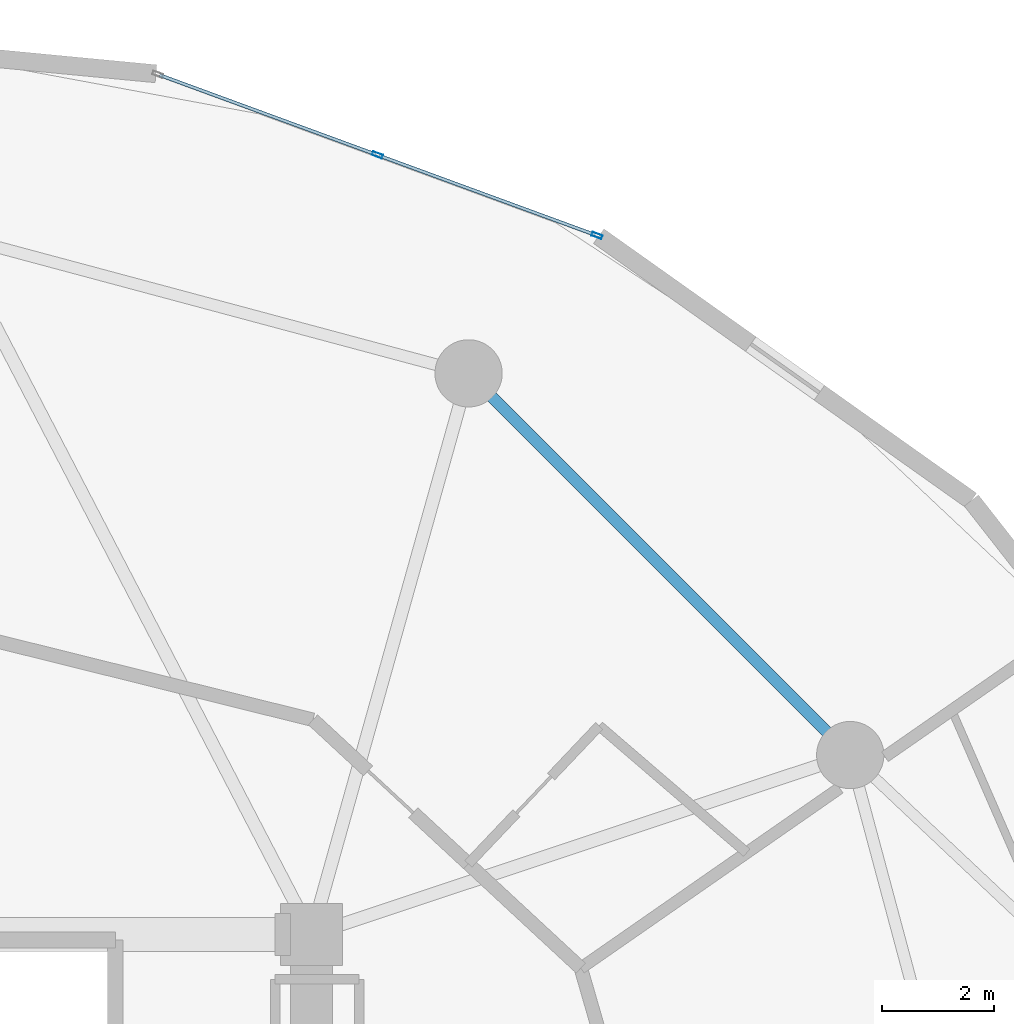
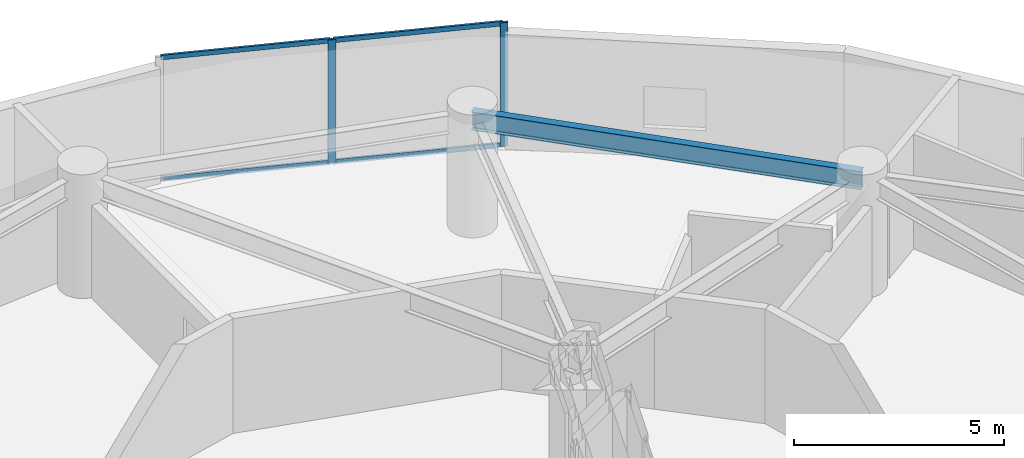
# One storey, part 15 of 22: 6 members, 1 beam, 1 element without a shape of its own.
"""IFC4 building model written with IfcOpenShell, lengths in metres."""

import ifcopenshell
import ifcopenshell.guid

model = None  # the IFC model being written
_history = None  # IfcOwnerHistory: only IFC2X3 demands one
_inside = {}  # id of a spatial element -> (the spatial element, [elements in it])
_under = {}  # id of a project, library or spatial element -> (it, [spatial elements below it])
_declared = {}  # id of a project -> (the project, [libraries it declares])
_typed = {}  # id of a type object -> (the type object, [elements of that type])
_made_of = {}  # id of a material, layer set ... -> (it, [elements and type objects made of it])


def new_model(schema):
    """Start an empty IFC model of exactly this schema.

    Asked for "IFC4X3", IfcOpenShell would pick the latest addendum, in which some entities
    have other attributes; the version numbers below select the first issue.
    IFC2X3 requires an IfcOwnerHistory on every rooted entity: one is made here for all.
    """
    global model, _history
    if schema == "IFC4X3":
        model = ifcopenshell.file(schema_version=(4, 3, 0, 0))
    else:
        model = ifcopenshell.file(schema=schema)
    _inside.clear()
    _under.clear()
    _declared.clear()
    _typed.clear()
    _made_of.clear()
    _history = None
    if model.schema == "IFC2X3":
        org = make("IfcOrganization", Name="unknown")
        user = make(
            "IfcPersonAndOrganization",
            ThePerson=make("IfcPerson", FamilyName="unknown"),
            TheOrganization=org,
        )
        app = make(
            "IfcApplication",
            ApplicationDeveloper=org,
            Version="unknown",
            ApplicationFullName="unknown",
            ApplicationIdentifier="unknown",
        )
        _history = make(
            "IfcOwnerHistory",
            OwningUser=user,
            OwningApplication=app,
            ChangeAction="ADDED",
            CreationDate=0,
        )
    return model


def make(cls, **values):
    """One entity of the class cls with the attributes given. An attribute that is None is left unset."""
    return model.create_entity(
        cls, **{name: value for name, value in values.items() if value is not None}
    )


def rooted(cls, **values):
    """An entity with a GlobalId (a new one), such as an element, a storey or a relation."""
    return make(cls, GlobalId=ifcopenshell.guid.new(), OwnerHistory=_history, **values)


def si_unit(unit_type, name, prefix=None):
    """IfcSIUnit, for example si_unit("LENGTHUNIT", "METRE", prefix="MILLI")."""
    return make("IfcSIUnit", UnitType=unit_type, Prefix=prefix, Name=name)


def assignment(units):
    """IfcUnitAssignment: the units of a project."""
    return None if units is None else make("IfcUnitAssignment", Units=units)


def point(xyz):
    """IfcCartesianPoint."""
    return None if xyz is None else make("IfcCartesianPoint", Coordinates=xyz)


def direction(xyz):
    """IfcDirection."""
    return None if xyz is None else make("IfcDirection", DirectionRatios=xyz)


def frame(location, z_axis=None, x_axis=None):
    """IfcAxis2Placement3D, a coordinate frame: its origin and axes. An axis left out is left unset."""
    return make(
        "IfcAxis2Placement3D",
        Location=point(location),
        Axis=direction(z_axis),
        RefDirection=direction(x_axis),
    )


def frame_2d(location, x_axis=None):
    """IfcAxis2Placement2D, a coordinate frame in the plane: its origin and x axis."""
    return make(
        "IfcAxis2Placement2D", Location=point(location), RefDirection=direction(x_axis)
    )


def origin():
    """The frame at (0, 0, 0) with its axes left unset."""
    return frame((0.0, 0.0, 0.0))


def origin_2d():
    """The frame at (0, 0) in the plane with its x axis left unset."""
    return frame_2d((0.0, 0.0))


def place(relative_to, where):
    """IfcLocalPlacement: puts the frame where relative to a parent placement (None: the world)."""
    return make(
        "IfcLocalPlacement", PlacementRelTo=relative_to, RelativePlacement=where
    )


def context(
    kind, dimensions, precision=None, world=None, true_north=None, identifier=None
):
    """IfcGeometricRepresentationContext, for example the 3D "Model" context."""
    return make(
        "IfcGeometricRepresentationContext",
        ContextIdentifier=identifier,
        ContextType=kind,
        CoordinateSpaceDimension=dimensions,
        Precision=precision,
        WorldCoordinateSystem=world,
        TrueNorth=true_north,
    )


def subcontext(parent, identifier, kind, view, scale=None):
    """IfcGeometricRepresentationSubContext, for example "Body" below "Model"."""
    return make(
        "IfcGeometricRepresentationSubContext",
        ContextIdentifier=identifier,
        ContextType=kind,
        ParentContext=parent,
        TargetScale=scale,
        TargetView=view,
    )


def project(units=None, contexts=None):
    """IfcProject with its units and contexts."""
    return rooted(
        "IfcProject",
        Name="project",
        RepresentationContexts=contexts,
        UnitsInContext=assignment(units),
    )


def spatial(cls, under=None, at=None, **own):
    """A site, building, storey or space (cls), placed at a placement, below another one or the project."""
    s = rooted(cls, ObjectPlacement=at, **own)
    if under is not None:
        _under.setdefault(under.id(), (under, []))[1].append(s)
    return s


def profile(cls, at=None, kind="AREA", **sizes):
    """A parametric profile (cls). Its sizes go by their IFC names, for example OverallWidth=200.0."""
    return make(cls, ProfileType=kind, Position=at, **sizes)


def hollow_rectangle(**sizes):
    """IfcRectangleHollowProfileDef."""
    return profile("IfcRectangleHollowProfileDef", **sizes)


def i_section(**sizes):
    """IfcIShapeProfileDef."""
    return profile("IfcIShapeProfileDef", **sizes)


def extrude(swept, where, along, depth):
    """IfcExtrudedAreaSolid: the profile swept, set in the frame where, extruded along a direction by depth."""
    return make(
        "IfcExtrudedAreaSolid",
        SweptArea=swept,
        Position=where,
        ExtrudedDirection=direction(along),
        Depth=depth,
    )


def shape(context_of_items, identifier, shape_type, items):
    """IfcShapeRepresentation: the items that make up one representation, for example the "Body"."""
    return make(
        "IfcShapeRepresentation",
        ContextOfItems=context_of_items,
        RepresentationIdentifier=identifier,
        RepresentationType=shape_type,
        Items=items,
    )


def source(mapping_origin, context_of_items, identifier, shape_type, items):
    """IfcRepresentationMap: a shape defined once, which mapped items show again and again."""
    return make(
        "IfcRepresentationMap",
        MappingOrigin=mapping_origin,
        MappedRepresentation=shape(context_of_items, identifier, shape_type, items),
    )


def transform(
    local_origin,
    x_axis=None,
    y_axis=None,
    z_axis=None,
    scale=None,
    scale2=None,
    scale3=None,
    uniform=True,
):
    """IfcCartesianTransformationOperator3D, or its non-uniform kind. x_axis, y_axis, z_axis: its Axis1, 2, 3."""
    if uniform:
        return make(
            "IfcCartesianTransformationOperator3D",
            Axis1=direction(x_axis),
            Axis2=direction(y_axis),
            LocalOrigin=point(local_origin),
            Scale=scale,
            Axis3=direction(z_axis),
        )
    return make(
        "IfcCartesianTransformationOperator3DnonUniform",
        Axis1=direction(x_axis),
        Axis2=direction(y_axis),
        LocalOrigin=point(local_origin),
        Scale=scale,
        Axis3=direction(z_axis),
        Scale2=scale2,
        Scale3=scale3,
    )


def mapped(mapping_source, mapping_target):
    """IfcMappedItem: shows the shape of a source again, moved by a transform."""
    return make(
        "IfcMappedItem", MappingSource=mapping_source, MappingTarget=mapping_target
    )


def material(Name=None, Category=None):
    """IfcMaterial."""
    return make("IfcMaterial", Name=Name, Category=Category)


def layer(
    of_material, thickness, ventilated=None, Name=None, Category=None, Priority=None
):
    """IfcMaterialLayer: one layer of a wall or slab, of a material (None: an air gap)."""
    return make(
        "IfcMaterialLayer",
        Material=of_material,
        LayerThickness=thickness,
        IsVentilated=ventilated,
        Name=Name,
        Category=Category,
        Priority=Priority,
    )


def layer_set(layers, Name=None):
    """IfcMaterialLayerSet."""
    return make("IfcMaterialLayerSet", MaterialLayers=layers, LayerSetName=Name)


def material_profile(
    of_material, cross_section, Name=None, Category=None, Priority=None
):
    """IfcMaterialProfile: a cross section and its material."""
    return make(
        "IfcMaterialProfile",
        Name=Name,
        Material=of_material,
        Profile=cross_section,
        Priority=Priority,
        Category=Category,
    )


def profile_set(profiles, Name=None, composite=None):
    """IfcMaterialProfileSet."""
    return make(
        "IfcMaterialProfileSet",
        Name=Name,
        MaterialProfiles=profiles,
        CompositeProfile=composite,
    )


def made_of(thing, what):
    """Note that an element or type object is made of a material, layer set ...; save() writes the relation."""
    if what is not None:
        _made_of.setdefault(what.id(), (what, []))[1].append(thing)
    return thing


def type_object(cls, material=None, **own):
    """A type object (cls), such as IfcWallType, which elements share."""
    return made_of(rooted(cls, **own), material)


def element(
    cls,
    number,
    at=None,
    inside=None,
    cuts=None,
    type_object=None,
    material=None,
    context=None,
    identifier="Body",
    shape_type=None,
    held_by="IfcProductDefinitionShape",
    body=None,
    shapes=None,
    **own,
):
    """One element of the class cls, such as IfcWall. Its Tag is "e" and its number.

    at: its placement. inside: the storey or other place that contains it. cuts: it is an
    opening in that element (IfcRelVoidsElement). A single representation is given by context,
    identifier, shape_type and body (its items); several are given by shapes. held_by: the class
    of the entity that holds the representations. save() writes the other relations.
    """
    e = rooted(cls, Tag="e%d" % number, ObjectPlacement=at, **own)
    if body is not None:
        shapes = [shape(context, identifier, shape_type, body)]
    if shapes is not None:
        e.Representation = make(held_by, Representations=shapes)
    if inside is not None:
        _inside.setdefault(inside.id(), (inside, []))[1].append(e)
    if cuts is not None:
        rooted(
            "IfcRelVoidsElement", RelatingBuildingElement=cuts, RelatedOpeningElement=e
        )
    if type_object is not None:
        _typed.setdefault(type_object.id(), (type_object, []))[1].append(e)
    return made_of(e, material)


def aggregate(whole, parts):
    """IfcRelAggregates: a whole, such as a stair, and the parts it consists of."""
    return rooted("IfcRelAggregates", RelatingObject=whole, RelatedObjects=parts)


def save(model, path):
    """Write the relations noted so far, then the file.

    IfcRelAggregates (storeys below a building ...), IfcRelContainedInSpatialStructure (elements
    in a storey), IfcRelDefinesByType, IfcRelAssociatesMaterial and IfcRelDeclares: one each for
    every whole, place, type object, material and project.
    """
    for whole, parts in _under.values():
        aggregate(whole, parts)
    for where, things in _inside.values():
        rooted(
            "IfcRelContainedInSpatialStructure",
            RelatedElements=things,
            RelatingStructure=where,
        )
    for kind, things in _typed.values():
        rooted("IfcRelDefinesByType", RelatedObjects=things, RelatingType=kind)
    for what, things in _made_of.values():
        rooted("IfcRelAssociatesMaterial", RelatedObjects=things, RelatingMaterial=what)
    for by, libraries in _declared.values():
        rooted("IfcRelDeclares", RelatingContext=by, RelatedDefinitions=libraries)
    model.write(path)


model = new_model("IFC4")

# Units and contexts
model_context = context("Model", 3, precision=1e-05, world=origin(), true_north=direction((0.0, 1.0)))
body_context = subcontext(model_context, "Body", "Model", "MODEL_VIEW")
ifc_project = project(units=[si_unit("LENGTHUNIT", "METRE"), si_unit("AREAUNIT", "SQUARE_METRE"), si_unit("VOLUMEUNIT", "CUBIC_METRE"), si_unit("PLANEANGLEUNIT", "RADIAN"), si_unit("MASSUNIT", "GRAM", prefix="KILO")], contexts=[model_context])

# Site, building, storey
site_placement = place(None, origin())
site = spatial("IfcSite", under=ifc_project, at=site_placement, CompositionType="ELEMENT")
building_placement = place(site_placement, origin())
building = spatial("IfcBuilding", under=site, at=building_placement, Name="Solvirekh Grand Hotel", CompositionType="ELEMENT")
storey_placement = place(building_placement, frame((0.0, 0.0, 53.60009765625)))
storey = spatial("IfcBuildingStorey", under=building, at=storey_placement, Name="L12", CompositionType="ELEMENT", Elevation=53.60009765625)

# Beam
ifc_material_1 = material(Name="Steel S355", Category="steel")
ifc_material_profile_1 = material_profile(ifc_material_1, i_section(OverallWidth=0.208984375, OverallDepth=0.532958984375, WebThickness=0.010009765625, FlangeThickness=0.014892578125, FilletRadius=0.013916015625, at=origin_2d()), Name="W530X92")
ifc_profile_set_1 = profile_set([ifc_material_profile_1], Name="Steel S355")
beam_type = type_object("IfcBeamType", Name="Spandrel_Ring_W530", PredefinedType="SPANDREL", material=ifc_profile_set_1)
beam_placement = place(storey_placement, frame((16.10791015625, 9.300048828125, 3.072998046875), z_axis=(-0.707106781187, 0.707106781187, 0.0), x_axis=(-0.707106781187, -0.707106781187, 0.0)))
element("IfcBeam", 1, at=beam_placement, inside=storey, type_object=beam_type, Name="L12 perimeter spandrel beam 2", PredefinedType="SPANDREL", context=body_context, shape_type="SweptSolid", body=[
    extrude(i_section(OverallWidth=0.208984375, OverallDepth=0.532958984375, WebThickness=0.010009765625, FlangeThickness=0.014892578125, FilletRadius=0.013916015625, at=origin_2d()), origin(), (0.0, 0.0, 1.0), 9.627685546875),
])

# Curtain wall, members
ifc_material_2 = material(Name="Anodized Bronze Aluminium 6063-T6", Category="aluminium")
ifc_layer = layer(ifc_material_2, 0.18994140625)
ifc_layer_set = layer_set([ifc_layer], Name="Anodized Bronze Aluminium 6063-T6")
curtain_wall_type = type_object("IfcCurtainWallType", Name="CW_Sys2_LowZoneFlushBronzeCW", PredefinedType="NOTDEFINED", material=ifc_layer_set)
curtain_wall_placement = place(storey_placement, origin())
curtain_wall = element("IfcCurtainWall", 2, at=curtain_wall_placement, inside=storey, type_object=curtain_wall_type, Name="L12 unitised bronze-glass curtain wall CW-L12-C05", PredefinedType="NOTDEFINED")
ifc_material_profile_2 = material_profile(ifc_material_2, hollow_rectangle(XDim=0.06005859375, YDim=0.135009765625, WallThickness=0.00390625, at=origin_2d()), Name="ALU RHS 135X60X4")
ifc_profile_set_2 = profile_set([ifc_material_profile_2], Name="Anodized Bronze Aluminium 6063-T6")
member_type_1 = type_object("IfcMemberType", Name="CWTransom_Sys2", PredefinedType="USERDEFINED", material=ifc_profile_set_2)
shared_shape_1 = source(origin(), body_context, "Body", "SweptSolid", [
    extrude(hollow_rectangle(XDim=0.06005859375, YDim=0.135009765625, WallThickness=0.00390625, at=origin_2d()), origin(), (0.0, 0.0, 1.0), 4.1015625),
])
member_1_placement = place(storey_placement, frame((11.556396484375, 18.5791015625, 0.02978515625), z_axis=(-0.938800621145, 0.344461019184, 0.0), x_axis=(-0.344461019184, -0.938800621145, 0.0)))
member_1 = element("IfcMember", 3, at=member_1_placement, type_object=member_type_1, Name="U02 transom 1.1", ObjectType="TRANSOM", PredefinedType="USERDEFINED", context=body_context, shape_type="MappedRepresentation", body=[
    mapped(shared_shape_1, transform((0.0, 0.0, 0.0), x_axis=(1.0, 0.0, 0.0), y_axis=(0.0, 1.0, 0.0), z_axis=(0.0, 0.0, 1.0), scale=1.0)),
])
member_2_placement = place(storey_placement, frame((11.556396484375, 18.5791015625, 3.56982421875), z_axis=(-0.938800621145, 0.344461019184, 0.0), x_axis=(-0.344461019184, -0.938800621145, 0.0)))
member_2 = element("IfcMember", 4, at=member_2_placement, type_object=member_type_1, Name="U02 transom 1.2", ObjectType="TRANSOM", PredefinedType="USERDEFINED", context=body_context, shape_type="MappedRepresentation", body=[
    mapped(shared_shape_1, transform((0.0, 0.0, 0.0), x_axis=(1.0, 0.0, 0.0), y_axis=(0.0, 1.0, 0.0), z_axis=(0.0, 0.0, 1.0), scale=1.0)),
])
ifc_material_profile_3 = material_profile(ifc_material_2, hollow_rectangle(XDim=0.070068359375, YDim=0.18994140625, WallThickness=0.0048828125, at=origin_2d()), Name="ALU RHS 190X70X5")
ifc_profile_set_3 = profile_set([ifc_material_profile_3], Name="Anodized Bronze Aluminium 6063-T6")
member_type_2 = type_object("IfcMemberType", Name="CWMullion_Sys2", PredefinedType="MULLION", material=ifc_profile_set_3)
shared_shape_2 = source(origin(), body_context, "Body", "SweptSolid", [
    extrude(hollow_rectangle(XDim=0.070068359375, YDim=0.18994140625, WallThickness=0.0048828125, at=origin_2d()), origin(), (0.0, 0.0, 1.0), 3.599853515625),
])
member_3_placement = place(storey_placement, frame((11.589111328125, 18.567138671875, 0.0), z_axis=(0.0, 0.0, 1.0), x_axis=(-0.344471181781, -0.938796892263, 0.0)))
member_3 = element("IfcMember", 5, at=member_3_placement, type_object=member_type_2, Name="U02 mullion 1", PredefinedType="MULLION", context=body_context, shape_type="MappedRepresentation", body=[
    mapped(shared_shape_2, transform((0.0, 0.0, 0.0), x_axis=(1.0, 0.0, 0.0), y_axis=(0.0, 1.0, 0.0), z_axis=(0.0, 0.0, 1.0), scale=1.0)),
])
member_4_placement = place(storey_placement, frame((7.673095703125, 20.00390625, 0.0), z_axis=(0.0, 0.0, 1.0), x_axis=(-0.344471181781, -0.938796892263, 0.0)))
member_4 = element("IfcMember", 6, at=member_4_placement, type_object=member_type_2, Name="U02 mullion 2", PredefinedType="MULLION", context=body_context, shape_type="MappedRepresentation", body=[
    mapped(shared_shape_2, transform((0.0, 0.0, 0.0), x_axis=(1.0, 0.0, 0.0), y_axis=(0.0, 1.0, 0.0), z_axis=(0.0, 0.0, 1.0), scale=1.0)),
])
shared_shape_3 = source(origin(), body_context, "Body", "SweptSolid", [
    extrude(hollow_rectangle(XDim=0.06005859375, YDim=0.135009765625, WallThickness=0.00390625, at=origin_2d()), origin(), (0.0, 0.0, 1.0), 4.101318359375),
])
member_5_placement = place(storey_placement, frame((7.64013671875, 20.01611328125, 0.02978515625), z_axis=(-0.938793557918, 0.344480268827, 0.0), x_axis=(-0.344480268827, -0.938793557918, 0.0)))
member_5 = element("IfcMember", 7, at=member_5_placement, type_object=member_type_1, Name="U02 transom 2.1", ObjectType="TRANSOM", PredefinedType="USERDEFINED", context=body_context, shape_type="MappedRepresentation", body=[
    mapped(shared_shape_3, transform((0.0, 0.0, 0.0), x_axis=(1.0, 0.0, 0.0), y_axis=(0.0, 1.0, 0.0), z_axis=(0.0, 0.0, 1.0), scale=1.0)),
])
member_6_placement = place(storey_placement, frame((7.64013671875, 20.01611328125, 3.56982421875), z_axis=(-0.938793557918, 0.344480268827, 0.0), x_axis=(-0.344480268827, -0.938793557918, 0.0)))
member_6 = element("IfcMember", 8, at=member_6_placement, type_object=member_type_1, Name="U02 transom 2.2", ObjectType="TRANSOM", PredefinedType="USERDEFINED", context=body_context, shape_type="MappedRepresentation", body=[
    mapped(shared_shape_3, transform((0.0, 0.0, 0.0), x_axis=(1.0, 0.0, 0.0), y_axis=(0.0, 1.0, 0.0), z_axis=(0.0, 0.0, 1.0), scale=1.0)),
])
aggregate(curtain_wall, [member_3, member_4, member_1, member_2, member_5, member_6])

save(model, "model.ifc")
